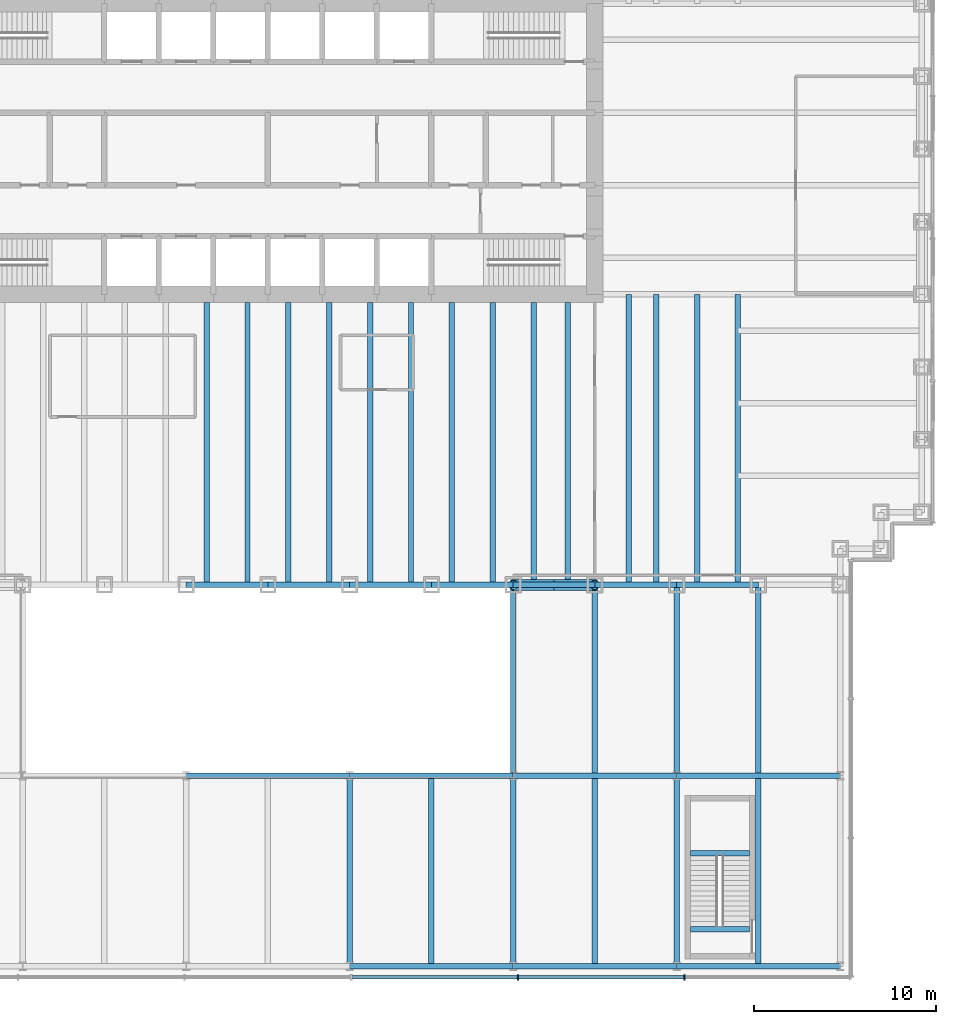
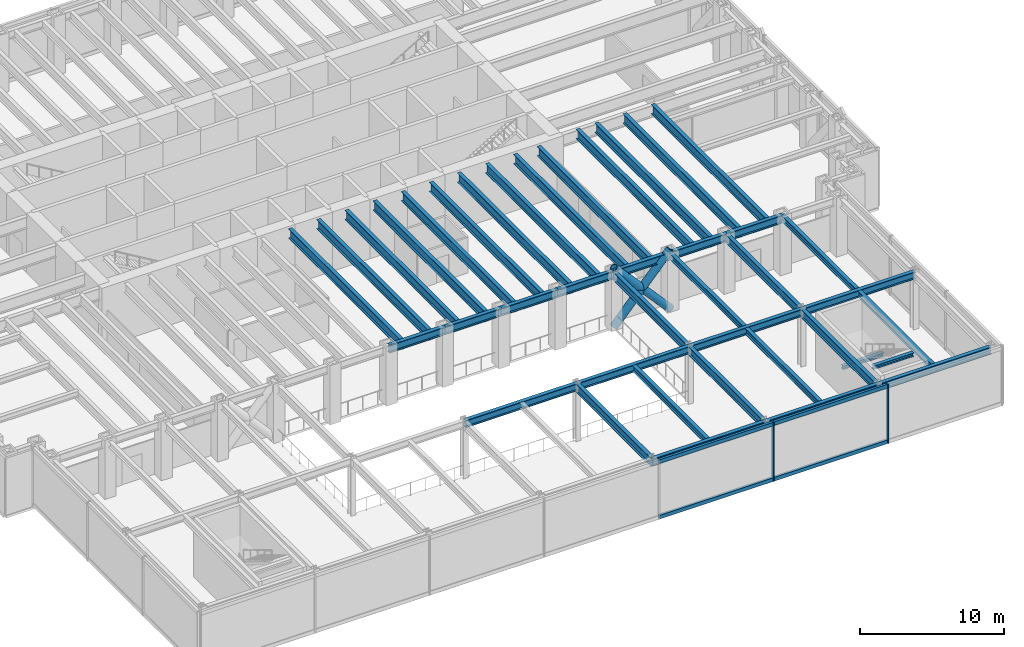
# One storey, part 4 of 17: 40 beams, 8 members, 1 element without a shape of its own.
"""IFC4 building model written with IfcOpenShell, lengths in metres."""

from ifc_helpers import new_model, si_unit, direction, frame, origin, origin_2d, place, context, subcontext, project, spatial, rectangle, hollow_circle, i_section, extrude, material, material_profile, profile_set, type_object, element, aggregate, save


model = new_model("IFC4")

# Units and contexts
model_context = context("Model", 3, precision=1e-05, world=origin(), true_north=direction((0.0, 1.0)))
body_context = subcontext(model_context, "Body", "Model", "MODEL_VIEW")
ifc_project = project(units=[si_unit("LENGTHUNIT", "METRE"), si_unit("AREAUNIT", "SQUARE_METRE"), si_unit("VOLUMEUNIT", "CUBIC_METRE"), si_unit("PLANEANGLEUNIT", "RADIAN"), si_unit("MASSUNIT", "GRAM", prefix="KILO")], contexts=[model_context])

# Site, building, storey
site_placement = place(None, origin())
site = spatial("IfcSite", under=ifc_project, at=site_placement, CompositionType="ELEMENT")
building_placement = place(site_placement, origin())
building = spatial("IfcBuilding", under=site, at=building_placement, Name="Rheinbord Bourse Tower", CompositionType="ELEMENT")
storey_placement = place(building_placement, frame((0.0, 0.0, 13.0)))
storey = spatial("IfcBuildingStorey", under=building, at=storey_placement, Name="L02", CompositionType="ELEMENT", Elevation=13.0)

# Curtain wall, members
ifc_material_1 = material(Name="Dark glass and black aluminium", Category="aluminium")
curtain_wall_type = type_object("IfcCurtainWallType", Name="CW4 DARK GLASS CURTAIN WALL", PredefinedType="USERDEFINED", material=ifc_material_1)
curtain_wall_placement = place(storey_placement, origin())
curtain_wall = element("IfcCurtainWall", 1, at=curtain_wall_placement, inside=storey, type_object=curtain_wall_type, Name="Curtain wall CW4 S L02", ObjectType="UNITISED CURTAIN WALL", PredefinedType="USERDEFINED")
ifc_material_2 = material(Name="Black anodised aluminium", Category="aluminium")
ifc_material_profile_1 = material_profile(ifc_material_2, rectangle(XDim=0.300048828125, YDim=0.090087890625, at=origin_2d()), Name="CW4 MULLION 90x300")
ifc_profile_set_1 = profile_set([ifc_material_profile_1], Name="Black anodised aluminium")
member_type_1 = type_object("IfcMemberType", Name="CW4 BLACK MULLION", PredefinedType="MULLION", material=ifc_profile_set_1)
member_1_placement = place(storey_placement, frame((49.757080078125, -21.60009765625, 0.0), z_axis=(0.0, 0.0, 1.0), x_axis=(0.0, 1.0, 0.0)))
member_1 = element("IfcMember", 2, at=member_1_placement, type_object=member_type_1, Name="CW4 mullion 6", PredefinedType="MULLION", context=body_context, shape_type="SweptSolid", body=[
    extrude(rectangle(XDim=0.300048828125, YDim=0.090087890625, at=origin_2d()), origin(), (0.0, 0.0, 1.0), 5.0),
])
member_2_placement = place(storey_placement, frame((58.928466796875, -21.60009765625, 0.0), z_axis=(0.0, 0.0, 1.0), x_axis=(0.0, 1.0, 0.0)))
member_2 = element("IfcMember", 3, at=member_2_placement, type_object=member_type_1, Name="CW4 mullion 7", PredefinedType="MULLION", context=body_context, shape_type="SweptSolid", body=[
    extrude(rectangle(XDim=0.300048828125, YDim=0.090087890625, at=origin_2d()), origin(), (0.0, 0.0, 1.0), 5.0),
])
ifc_material_3 = material(Name="Black anodised aluminium", Category="aluminium")
ifc_material_profile_2 = material_profile(ifc_material_3, rectangle(XDim=0.199951171875, YDim=0.300048828125, at=origin_2d()), Name="CW4 TRANSOM 300x200")
ifc_profile_set_2 = profile_set([ifc_material_profile_2], Name="Black anodised aluminium")
member_type_2 = type_object("IfcMemberType", Name="CW4 BLACK TRANSOM", PredefinedType="USERDEFINED", material=ifc_profile_set_2)
member_3_placement = place(storey_placement, frame((40.630615234375, -21.60009765625, 0.14990234375), z_axis=(1.0, 0.0, 0.0), x_axis=(0.0, 1.0, 0.0)))
member_3 = element("IfcMember", 4, at=member_3_placement, type_object=member_type_2, Name="CW4 transom 5.1", ObjectType="TRANSOM", PredefinedType="USERDEFINED", context=body_context, shape_type="SweptSolid", body=[
    extrude(rectangle(XDim=0.199951171875, YDim=0.300048828125, at=origin_2d()), origin(), (0.0, 0.0, 1.0), 9.08154296875),
])
member_4_placement = place(storey_placement, frame((40.630615234375, -21.60009765625, 4.85009765625), z_axis=(1.0, 0.0, 0.0), x_axis=(0.0, 1.0, 0.0)))
member_4 = element("IfcMember", 5, at=member_4_placement, type_object=member_type_2, Name="CW4 transom 5.2", ObjectType="TRANSOM", PredefinedType="USERDEFINED", context=body_context, shape_type="SweptSolid", body=[
    extrude(rectangle(XDim=0.199951171875, YDim=0.300048828125, at=origin_2d()), origin(), (0.0, 0.0, 1.0), 9.08154296875),
])
member_5_placement = place(storey_placement, frame((49.80224609375, -21.60009765625, 0.14990234375), z_axis=(1.0, 0.0, 0.0), x_axis=(0.0, 1.0, 0.0)))
member_5 = element("IfcMember", 6, at=member_5_placement, type_object=member_type_2, Name="CW4 transom 6.1", ObjectType="TRANSOM", PredefinedType="USERDEFINED", context=body_context, shape_type="SweptSolid", body=[
    extrude(rectangle(XDim=0.199951171875, YDim=0.300048828125, at=origin_2d()), origin(), (0.0, 0.0, 1.0), 9.081298828125),
])
member_6_placement = place(storey_placement, frame((49.80224609375, -21.60009765625, 4.85009765625), z_axis=(1.0, 0.0, 0.0), x_axis=(0.0, 1.0, 0.0)))
member_6 = element("IfcMember", 7, at=member_6_placement, type_object=member_type_2, Name="CW4 transom 6.2", ObjectType="TRANSOM", PredefinedType="USERDEFINED", context=body_context, shape_type="SweptSolid", body=[
    extrude(rectangle(XDim=0.199951171875, YDim=0.300048828125, at=origin_2d()), origin(), (0.0, 0.0, 1.0), 9.081298828125),
])
aggregate(curtain_wall, [member_1, member_2, member_3, member_4, member_5, member_6])

# Beams
ifc_material_4 = material(Name="Steel S460", Category="steel")
ifc_material_profile_3 = material_profile(ifc_material_4, i_section(OverallWidth=0.300048828125, OverallDepth=0.800048828125, WebThickness=0.017578125, FlangeThickness=0.032958984375, at=origin_2d()), Name="HEB 800")
ifc_profile_set_3 = profile_set([ifc_material_profile_3], Name="Steel S460")
beam_type_1 = type_object("IfcBeamType", Name="FLOOR BEAM HEB 800", PredefinedType="BEAM", material=ifc_profile_set_3)
for number, where, z_axis, x_axis, name in (
    (8, (32.625, 0.0, 4.419921875), (0.0, 1.0, 0.0), (-1.0, 0.0, 0.0), "Floor beam S-31.5a L03"),
    (9, (34.875, 0.0, 4.419921875), (0.0, 1.0, 0.0), (-1.0, 0.0, 0.0), "Floor beam S-31.5b L03"),
    (10, (37.125, 0.0, 4.419921875), (0.0, 1.0, 0.0), (-1.0, 0.0, 0.0), "Floor beam S-36a L03"),
    (11, (39.375, 0.0, 4.419921875), (0.0, 1.0, 0.0), (-1.0, 0.0, 0.0), "Floor beam S-36b L03"),
    (12, (41.625, 0.0, 4.419921875), (0.0, 1.0, 0.0), (-1.0, 0.0, 0.0), "Floor beam S-40.5a L03"),
    (13, (43.875, 0.0, 4.419921875), (0.0, 1.0, 0.0), (-1.0, 0.0, 0.0), "Floor beam S-40.5b L03"),
    (14, (46.125, 0.0, 4.419921875), (0.0, 1.0, 0.0), (-1.0, 0.0, 0.0), "Floor beam S-45a L03"),
    (15, (48.375, 0.0, 4.419921875), (0.0, 1.0, 0.0), (-1.0, 0.0, 0.0), "Floor beam S-45b L03"),
    (16, (50.625, 0.0, 4.419921875), (0.0, 1.0, 0.0), (-1.0, 0.0, 0.0), "Floor beam S-49.5a L03"),
    (17, (52.5, 0.0, 4.419921875), (0.0, 1.0, 0.0), (-1.0, 0.0, 0.0), "Floor beam S-49.5b L03"),
):
    element("IfcBeam", number, at=place(storey_placement, frame(where, z_axis=z_axis, x_axis=x_axis)), inside=storey, type_object=beam_type_1, Name=name, PredefinedType="BEAM", context=body_context, shape_type="SweptSolid", body=[
        extrude(i_section(OverallWidth=0.300048828125, OverallDepth=0.800048828125, WebThickness=0.017578125, FlangeThickness=0.032958984375, at=origin_2d()), origin(), (0.0, 0.0, 1.0), 15.550048828125),
    ])
for number, where, z_axis, x_axis, name in (
    (18, (55.875, 0.0, 4.419921875), (0.0, 1.0, 0.0), (-1.0, 0.0, 0.0), "Floor beam S-54a L03"),
    (19, (57.375, 0.0, 4.419921875), (0.0, 1.0, 0.0), (-1.0, 0.0, 0.0), "Floor beam S-54b L03"),
    (20, (59.625, 0.0, 4.419921875), (0.0, 1.0, 0.0), (-1.0, 0.0, 0.0), "Floor beam S-58.5a L03"),
    (21, (61.875, 0.0, 4.419921875), (0.0, 1.0, 0.0), (-1.0, 0.0, 0.0), "Floor beam S-58.5b L03"),
):
    element("IfcBeam", number, at=place(storey_placement, frame(where, z_axis=z_axis, x_axis=x_axis)), inside=storey, type_object=beam_type_1, Name=name, PredefinedType="BEAM", context=body_context, shape_type="SweptSolid", body=[
        extrude(i_section(OverallWidth=0.300048828125, OverallDepth=0.800048828125, WebThickness=0.017578125, FlangeThickness=0.032958984375, at=origin_2d()), origin(), (0.0, 0.0, 1.0), 16.0),
    ])
ifc_material_5 = material(Name="Steel S460", Category="steel")
ifc_material_profile_4 = material_profile(ifc_material_5, i_section(OverallWidth=0.300048828125, OverallDepth=0.300048828125, WebThickness=0.010986328125, FlangeThickness=0.01904296875, at=origin_2d()), Name="HEB 300")
ifc_profile_set_4 = profile_set([ifc_material_profile_4], Name="Steel S460")
beam_type_2 = type_object("IfcBeamType", Name="LANDING TRIMMER HEB 300", PredefinedType="BEAM", material=ifc_profile_set_4)
for number, where, z_axis, x_axis, name in (
    (22, (59.25, -14.780029296875, 2.14990234375), (1.0, 0.0, 0.0), (0.0, 1.0, 0.0), "Landing trimmer ST6 L02"),
    (23, (59.25, -18.949951171875, 4.669921875), (1.0, 0.0, 0.0), (0.0, 1.0, 0.0), "Well trimmer ST6 under L03"),
):
    element("IfcBeam", number, at=place(storey_placement, frame(where, z_axis=z_axis, x_axis=x_axis)), inside=storey, type_object=beam_type_2, Name=name, PredefinedType="BEAM", context=body_context, shape_type="SweptSolid", body=[
        extrude(i_section(OverallWidth=0.300048828125, OverallDepth=0.300048828125, WebThickness=0.010986328125, FlangeThickness=0.01904296875, at=origin_2d()), origin(), (0.0, 0.0, 1.0), 3.25),
    ])

# Members
ifc_material_6 = material(Name="Steel S460", Category="steel")
ifc_material_profile_5 = material_profile(ifc_material_6, hollow_circle(Radius=0.304931640625, WallThickness=0.050048828125, at=origin_2d()), Name="CHS 610x50")
ifc_profile_set_5 = profile_set([ifc_material_profile_5], Name="Steel S460")
member_type_3 = type_object("IfcMemberType", Name="MEGABRACE CHS 610x50", PredefinedType="BRACE", material=ifc_profile_set_5)
for number, where, z_axis, x_axis, name in (
    (24, (54.0, 0.0, 0.0), (-0.668964731622, 0.0, 0.743294146247), (0.0, -1.0, 0.0), "Megabrace S face line b L02"),
    (25, (49.5, 0.0, 0.0), (0.668964731622, 0.0, 0.743294146247), (0.0, 1.0, 0.0), "Megabrace S face line c L02"),
):
    element("IfcMember", number, at=place(storey_placement, frame(where, z_axis=z_axis, x_axis=x_axis)), inside=storey, type_object=member_type_3, Name=name, PredefinedType="BRACE", context=body_context, shape_type="SweptSolid", body=[
        extrude(hollow_circle(Radius=0.304931640625, WallThickness=0.050048828125, at=origin_2d()), origin(), (0.0, 0.0, 1.0), 6.726806640625),
    ])

# Beams
ifc_material_7 = material(Name="Steel S460", Category="steel")
ifc_material_profile_6 = material_profile(ifc_material_7, i_section(OverallWidth=0.304931640625, OverallDepth=0.6201171875, WebThickness=0.02099609375, FlangeThickness=0.0400390625, at=origin_2d()), Name="HEM 600")
ifc_profile_set_6 = profile_set([ifc_material_profile_6], Name="Steel S460")
beam_type_3 = type_object("IfcBeamType", Name="PODIUM EDGE BEAM HEM 600", PredefinedType="BEAM", material=ifc_profile_set_6)
for number, where, z_axis, x_axis, name in (
    (26, (31.5, -10.5, 4.510009765625), (1.0, 0.0, 0.0), (0.0, 1.0, 0.0), "Podium edge beam 31.5-40.5 L03"),
    (27, (40.5, -21.0, 4.510009765625), (1.0, 0.0, 0.0), (0.0, 1.0, 0.0), "Podium edge beam 40.5-49.5 L03"),
    (28, (40.5, -10.5, 4.510009765625), (1.0, 0.0, 0.0), (0.0, 1.0, 0.0), "Podium edge beam 40.5-49.5 L03"),
    (29, (49.5, -21.0, 4.510009765625), (1.0, 0.0, 0.0), (0.0, 1.0, 0.0), "Podium edge beam 49.5-58.5 L03"),
    (30, (49.5, -10.5, 4.510009765625), (1.0, 0.0, 0.0), (0.0, 1.0, 0.0), "Podium edge beam 49.5-58.5 L03"),
    (31, (58.5, -21.0, 4.510009765625), (1.0, 0.0, 0.0), (0.0, 1.0, 0.0), "Podium edge beam 58.5-67.5 L03"),
    (32, (58.5, -10.5, 4.510009765625), (1.0, 0.0, 0.0), (0.0, 1.0, 0.0), "Podium edge beam 58.5-67.5 L03"),
):
    element("IfcBeam", number, at=place(storey_placement, frame(where, z_axis=z_axis, x_axis=x_axis)), inside=storey, type_object=beam_type_3, Name=name, PredefinedType="BEAM", context=body_context, shape_type="SweptSolid", body=[
        extrude(i_section(OverallWidth=0.304931640625, OverallDepth=0.6201171875, WebThickness=0.02099609375, FlangeThickness=0.0400390625, at=origin_2d()), origin(), (0.0, 0.0, 1.0), 9.0),
    ])
ifc_material_8 = material(Name="Steel S460", Category="steel")
ifc_material_profile_7 = material_profile(ifc_material_8, i_section(OverallWidth=0.303955078125, OverallDepth=0.716064453125, WebThickness=0.02099609375, FlangeThickness=0.0400390625, at=origin_2d()), Name="HEM 700")
ifc_profile_set_7 = profile_set([ifc_material_profile_7], Name="Steel S460")
beam_type_4 = type_object("IfcBeamType", Name="PODIUM GIRDER HEM 700", PredefinedType="BEAM", material=ifc_profile_set_7)
for number, where, z_axis, x_axis, name in (
    (33, (40.5, -21.0, 4.4619140625), (0.0, 1.0, 0.0), (-1.0, 0.0, 0.0), "Podium girder 40.5 L03"),
    (34, (49.5, -21.0, 4.4619140625), (0.0, 1.0, 0.0), (-1.0, 0.0, 0.0), "Podium girder 49.5 L03"),
    (35, (49.5, -10.5, 4.4619140625), (0.0, 1.0, 0.0), (-1.0, 0.0, 0.0), "Podium girder 49.5 L03"),
    (36, (58.5, -21.0, 4.4619140625), (0.0, 1.0, 0.0), (-1.0, 0.0, 0.0), "Podium girder 58.5 L03"),
    (37, (58.5, -10.5, 4.4619140625), (0.0, 1.0, 0.0), (-1.0, 0.0, 0.0), "Podium girder 58.5 L03"),
):
    element("IfcBeam", number, at=place(storey_placement, frame(where, z_axis=z_axis, x_axis=x_axis)), inside=storey, type_object=beam_type_4, Name=name, PredefinedType="BEAM", context=body_context, shape_type="SweptSolid", body=[
        extrude(i_section(OverallWidth=0.303955078125, OverallDepth=0.716064453125, WebThickness=0.02099609375, FlangeThickness=0.0400390625, at=origin_2d()), origin(), (0.0, 0.0, 1.0), 10.5),
    ])
ifc_material_9 = material(Name="Steel S460", Category="steel")
ifc_material_profile_8 = material_profile(ifc_material_9, i_section(OverallWidth=0.300048828125, OverallDepth=0.5, WebThickness=0.014404296875, FlangeThickness=0.028076171875, at=origin_2d()), Name="HEB 500")
ifc_profile_set_8 = profile_set([ifc_material_profile_8], Name="Steel S460")
beam_type_5 = type_object("IfcBeamType", Name="PODIUM JOIST HEB 500", PredefinedType="JOIST", material=ifc_profile_set_8)
for number, where, z_axis, x_axis, name in (
    (38, (45.0, -21.0, 4.570068359375), (0.0, 1.0, 0.0), (-1.0, 0.0, 0.0), "Podium joist 45 L03"),
    (39, (54.0, -21.0, 4.570068359375), (0.0, 1.0, 0.0), (-1.0, 0.0, 0.0), "Podium joist 54 L03"),
    (40, (54.0, -10.347412109375, 4.570068359375), (0.0, 1.0, 0.0), (-1.0, 0.0, 0.0), "Podium joist 54 L03"),
    (41, (63.0, -21.0, 4.570068359375), (0.0, 1.0, 0.0), (-1.0, 0.0, 0.0), "Podium joist 63 L03"),
    (42, (63.0, -10.347412109375, 4.570068359375), (0.0, 1.0, 0.0), (-1.0, 0.0, 0.0), "Podium joist 63 L03"),
):
    element("IfcBeam", number, at=place(storey_placement, frame(where, z_axis=z_axis, x_axis=x_axis)), inside=storey, type_object=beam_type_5, Name=name, PredefinedType="JOIST", context=body_context, shape_type="SweptSolid", body=[
        extrude(i_section(OverallWidth=0.300048828125, OverallDepth=0.5, WebThickness=0.014404296875, FlangeThickness=0.028076171875, at=origin_2d()), origin(), (0.0, 0.0, 1.0), 10.347412109375),
    ])
ifc_material_10 = material(Name="Steel S460", Category="steel")
ifc_material_profile_9 = material_profile(ifc_material_10, i_section(OverallWidth=0.304931640625, OverallDepth=0.66796875, WebThickness=0.02099609375, FlangeThickness=0.0400390625, at=origin_2d()), Name="HEM 650")
ifc_profile_set_9 = profile_set([ifc_material_profile_9], Name="Steel S460")
beam_type_6 = type_object("IfcBeamType", Name="SPANDREL HEM 650", PredefinedType="SPANDREL", material=ifc_profile_set_9)
for number, where, z_axis, x_axis, name in (
    (43, (31.5, 0.0, 4.486083984375), (1.0, 0.0, 0.0), (0.0, 1.0, 0.0), "Spandrel S-31.5-S-36 under L03"),
    (44, (36.0, 0.0, 4.486083984375), (1.0, 0.0, 0.0), (0.0, 1.0, 0.0), "Spandrel S-36-S-40.5 under L03"),
    (45, (40.5, 0.0, 4.486083984375), (1.0, 0.0, 0.0), (0.0, 1.0, 0.0), "Spandrel S-40.5-S-45 under L03"),
    (46, (45.0, 0.0, 4.486083984375), (1.0, 0.0, 0.0), (0.0, 1.0, 0.0), "Spandrel S-45-S-49.5 under L03"),
    (47, (49.5, 0.0, 4.486083984375), (1.0, 0.0, 0.0), (0.0, 1.0, 0.0), "Spandrel S-49.5-S-54 under L03"),
    (48, (54.0, 0.0, 4.486083984375), (1.0, 0.0, 0.0), (0.0, 1.0, 0.0), "Spandrel S-54-S-58.5 under L03"),
    (49, (58.5, 0.0, 4.486083984375), (1.0, 0.0, 0.0), (0.0, 1.0, 0.0), "Spandrel S-58.5-S-63 under L03"),
):
    element("IfcBeam", number, at=place(storey_placement, frame(where, z_axis=z_axis, x_axis=x_axis)), inside=storey, type_object=beam_type_6, Name=name, PredefinedType="SPANDREL", context=body_context, shape_type="SweptSolid", body=[
        extrude(i_section(OverallWidth=0.304931640625, OverallDepth=0.66796875, WebThickness=0.02099609375, FlangeThickness=0.0400390625, at=origin_2d()), origin(), (0.0, 0.0, 1.0), 4.5),
    ])

save(model, "model.ifc")
